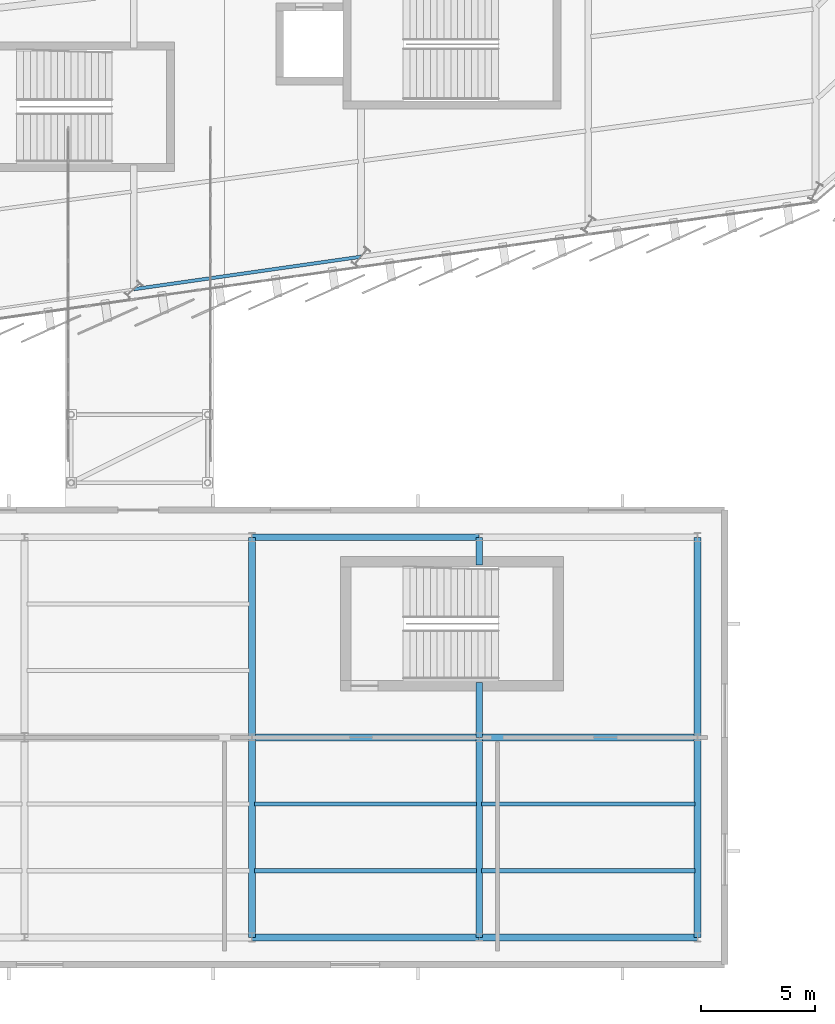
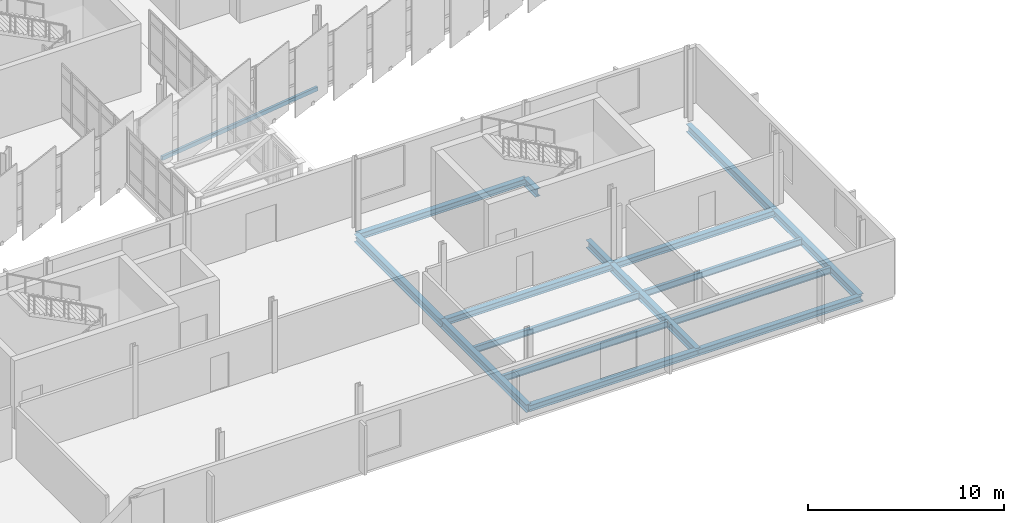
# One storey, part 62 of 125: 17 beams.
"""IFC4 building model written with IfcOpenShell, lengths in metres."""

from ifc_helpers import new_model, si_unit, direction, frame, origin, origin_2d, place, context, subcontext, project, spatial, hollow_rectangle, i_section, extrude, material, material_profile, profile_set, type_object, element, save


model = new_model("IFC4")

# Units and contexts
model_context = context("Model", 3, precision=1e-05, world=origin(), true_north=direction((0.0, 1.0)))
body_context = subcontext(model_context, "Body", "Model", "MODEL_VIEW")
ifc_project = project(units=[si_unit("LENGTHUNIT", "METRE"), si_unit("AREAUNIT", "SQUARE_METRE"), si_unit("VOLUMEUNIT", "CUBIC_METRE"), si_unit("PLANEANGLEUNIT", "RADIAN"), si_unit("MASSUNIT", "GRAM", prefix="KILO")], contexts=[model_context])

# Site, building, storey
site_placement = place(None, origin())
site = spatial("IfcSite", under=ifc_project, at=site_placement, CompositionType="ELEMENT")
building_placement = place(site_placement, origin())
building = spatial("IfcBuilding", under=site, at=building_placement, Name="Sohan Crest Arena", CompositionType="ELEMENT")
storey_placement = place(building_placement, frame((0.0, 0.0, 9.0)))
storey = spatial("IfcBuildingStorey", under=building, at=storey_placement, Name="L02", CompositionType="ELEMENT", Elevation=9.0)

# Beams
ifc_material = material(Name="Steel S355", Category="steel")
ifc_material_profile_1 = material_profile(ifc_material, i_section(OverallWidth=0.179931640625, OverallDepth=0.39990234375, WebThickness=0.008544921875, FlangeThickness=0.013427734375, at=origin_2d()), Name="IPE 400")
ifc_profile_set_1 = profile_set([ifc_material_profile_1], Name="Steel S355")
beam_type_1 = type_object("IfcBeamType", Name="STR-BM-B03", PredefinedType="JOIST", material=ifc_profile_set_1)
for number, where, z_axis, x_axis, name in (
    (1, (143.31005859375, 10.133056640625, -0.449951171875), (1.0, 0.0, 0.0), (0.0, 1.0, 0.0), "Structural beam J-L02-2674"),
    (2, (143.31005859375, 13.06689453125, -0.449951171875), (1.0, 0.0, 0.0), (0.0, 1.0, 0.0), "Structural beam J-L02-2675"),
):
    element("IfcBeam", number, at=place(storey_placement, frame(where, z_axis=z_axis, x_axis=x_axis)), inside=storey, type_object=beam_type_1, Name=name, PredefinedType="JOIST", context=body_context, shape_type="SweptSolid", body=[
        extrude(i_section(OverallWidth=0.179931640625, OverallDepth=0.39990234375, WebThickness=0.008544921875, FlangeThickness=0.013427734375, at=origin_2d()), origin(), (0.0, 0.0, 1.0), 9.780029296875),
    ])
for number, where, z_axis, x_axis, name in (
    (3, (153.31005859375, 10.133056640625, -0.449951171875), (1.0, 0.0, 0.0), (0.0, 1.0, 0.0), "Structural beam J-L02-2677"),
    (4, (153.31005859375, 13.06689453125, -0.449951171875), (1.0, 0.0, 0.0), (0.0, 1.0, 0.0), "Structural beam J-L02-2678"),
):
    element("IfcBeam", number, at=place(storey_placement, frame(where, z_axis=z_axis, x_axis=x_axis)), inside=storey, type_object=beam_type_1, Name=name, PredefinedType="JOIST", context=body_context, shape_type="SweptSolid", body=[
        extrude(i_section(OverallWidth=0.179931640625, OverallDepth=0.39990234375, WebThickness=0.008544921875, FlangeThickness=0.013427734375, at=origin_2d()), origin(), (0.0, 0.0, 1.0), 9.3798828125),
    ])
ifc_material_profile_2 = material_profile(ifc_material, i_section(OverallWidth=0.300048828125, OverallDepth=0.389892578125, WebThickness=0.010986328125, FlangeThickness=0.01904296875, at=origin_2d()), Name="HEA 400")
ifc_profile_set_2 = profile_set([ifc_material_profile_2], Name="Steel S355")
beam_type_2 = type_object("IfcBeamType", Name="STR-BM-B09", PredefinedType="BEAM", material=ifc_profile_set_2)
beam_1_placement = place(storey_placement, frame((143.199951171875, 7.199951171875, -0.445068359375), z_axis=(1.0, 0.0, 0.0), x_axis=(0.0, 1.0, 0.0)))
element("IfcBeam", 5, at=beam_1_placement, inside=storey, type_object=beam_type_2, Name="Structural beam G-L02-2673", PredefinedType="BEAM", context=body_context, shape_type="SweptSolid", body=[
    extrude(i_section(OverallWidth=0.300048828125, OverallDepth=0.389892578125, WebThickness=0.010986328125, FlangeThickness=0.01904296875, at=origin_2d()), origin(), (0.0, 0.0, 1.0), 10.0),
])
beam_2_placement = place(storey_placement, frame((153.199951171875, 7.199951171875, -0.445068359375), z_axis=(1.0, 0.0, 0.0), x_axis=(0.0, 1.0, 0.0)))
element("IfcBeam", 6, at=beam_2_placement, inside=storey, type_object=beam_type_2, Name="Structural beam G-L02-2676", PredefinedType="BEAM", context=body_context, shape_type="SweptSolid", body=[
    extrude(i_section(OverallWidth=0.300048828125, OverallDepth=0.389892578125, WebThickness=0.010986328125, FlangeThickness=0.01904296875, at=origin_2d()), origin(), (0.0, 0.0, 1.0), 9.60009765625),
])
beam_3_placement = place(storey_placement, frame((143.199951171875, 16.0, -0.445068359375), z_axis=(1.0, 0.0, 0.0), x_axis=(0.0, 1.0, 0.0)))
element("IfcBeam", 7, at=beam_3_placement, inside=storey, type_object=beam_type_2, Name="Structural beam G-L02-2688", PredefinedType="BEAM", context=body_context, shape_type="SweptSolid", body=[
    extrude(i_section(OverallWidth=0.300048828125, OverallDepth=0.389892578125, WebThickness=0.010986328125, FlangeThickness=0.01904296875, at=origin_2d()), origin(), (0.0, 0.0, 1.0), 10.0),
])
beam_4_placement = place(storey_placement, frame((153.199951171875, 16.0, -0.445068359375), z_axis=(1.0, 0.0, 0.0), x_axis=(0.0, 1.0, 0.0)))
element("IfcBeam", 8, at=beam_4_placement, inside=storey, type_object=beam_type_2, Name="Structural beam G-L02-2689", PredefinedType="BEAM", context=body_context, shape_type="SweptSolid", body=[
    extrude(i_section(OverallWidth=0.300048828125, OverallDepth=0.389892578125, WebThickness=0.010986328125, FlangeThickness=0.01904296875, at=origin_2d()), origin(), (0.0, 0.0, 1.0), 9.60009765625),
])
beam_5_placement = place(storey_placement, frame((143.199951171875, 24.800048828125, -0.445068359375), z_axis=(1.0, 0.0, 0.0), x_axis=(0.0, 1.0, 0.0)))
element("IfcBeam", 9, at=beam_5_placement, inside=storey, type_object=beam_type_2, Name="Structural beam G-L02-2697", PredefinedType="BEAM", context=body_context, shape_type="SweptSolid", body=[
    extrude(i_section(OverallWidth=0.300048828125, OverallDepth=0.389892578125, WebThickness=0.010986328125, FlangeThickness=0.01904296875, at=origin_2d()), origin(), (0.0, 0.0, 1.0), 10.0),
])
ifc_material_profile_3 = material_profile(ifc_material, i_section(OverallWidth=0.300048828125, OverallDepth=0.489990234375, WebThickness=0.011962890625, FlangeThickness=0.02294921875, at=origin_2d()), Name="HEA 500")
ifc_profile_set_3 = profile_set([ifc_material_profile_3], Name="Steel S355")
beam_type_3 = type_object("IfcBeamType", Name="STR-BM-B10", PredefinedType="BEAM", material=ifc_profile_set_3)
for number, where, z_axis, x_axis, name in (
    (10, (143.199951171875, 7.199951171875, -0.4951171875), (0.0, 1.0, 0.0), (-1.0, 0.0, 0.0), "Structural beam G-L02-2645"),
    (11, (143.199951171875, 16.0, -0.4951171875), (0.0, 1.0, 0.0), (-1.0, 0.0, 0.0), "Structural beam G-L02-2646"),
    (12, (153.199951171875, 7.199951171875, -0.4951171875), (0.0, 1.0, 0.0), (-1.0, 0.0, 0.0), "Structural beam G-L02-2647"),
):
    element("IfcBeam", number, at=place(storey_placement, frame(where, z_axis=z_axis, x_axis=x_axis)), inside=storey, type_object=beam_type_3, Name=name, PredefinedType="BEAM", context=body_context, shape_type="SweptSolid", body=[
        extrude(i_section(OverallWidth=0.300048828125, OverallDepth=0.489990234375, WebThickness=0.011962890625, FlangeThickness=0.02294921875, at=origin_2d()), origin(), (0.0, 0.0, 1.0), 8.800048828125),
    ])
beam_6_placement = place(storey_placement, frame((153.199951171875, 16.0, -0.4951171875), z_axis=(0.0, 1.0, 0.0), x_axis=(-1.0, 0.0, 0.0)))
element("IfcBeam", 13, at=beam_6_placement, inside=storey, type_object=beam_type_3, Name="Structural beam G-L02-2648", PredefinedType="BEAM", context=body_context, shape_type="SweptSolid", body=[
    extrude(i_section(OverallWidth=0.300048828125, OverallDepth=0.489990234375, WebThickness=0.011962890625, FlangeThickness=0.02294921875, at=origin_2d()), origin(), (0.0, 0.0, 1.0), 2.419921875),
])
beam_7_placement = place(storey_placement, frame((153.199951171875, 23.580078125, -0.4951171875), z_axis=(0.0, 1.0, 0.0), x_axis=(-1.0, 0.0, 0.0)))
element("IfcBeam", 14, at=beam_7_placement, inside=storey, type_object=beam_type_3, Name="Structural beam G-L02-2649", PredefinedType="BEAM", context=body_context, shape_type="SweptSolid", body=[
    extrude(i_section(OverallWidth=0.300048828125, OverallDepth=0.489990234375, WebThickness=0.011962890625, FlangeThickness=0.02294921875, at=origin_2d()), origin(), (0.0, 0.0, 1.0), 1.219970703125),
])
for number, where, z_axis, x_axis, name in (
    (15, (162.800048828125, 7.199951171875, -0.4951171875), (0.0, 1.0, 0.0), (-1.0, 0.0, 0.0), "Structural beam G-L02-2650"),
    (16, (162.800048828125, 16.0, -0.4951171875), (0.0, 1.0, 0.0), (-1.0, 0.0, 0.0), "Structural beam G-L02-2651"),
):
    element("IfcBeam", number, at=place(storey_placement, frame(where, z_axis=z_axis, x_axis=x_axis)), inside=storey, type_object=beam_type_3, Name=name, PredefinedType="BEAM", context=body_context, shape_type="SweptSolid", body=[
        extrude(i_section(OverallWidth=0.300048828125, OverallDepth=0.489990234375, WebThickness=0.011962890625, FlangeThickness=0.02294921875, at=origin_2d()), origin(), (0.0, 0.0, 1.0), 8.800048828125),
    ])
ifc_material_profile_4 = material_profile(ifc_material, hollow_rectangle(XDim=0.14990234375, YDim=0.25, WallThickness=0.010009765625, at=origin_2d()), Name="RHS 250x150x10")
ifc_profile_set_4 = profile_set([ifc_material_profile_4], Name="Steel S355")
beam_type_4 = type_object("IfcBeamType", Name="STR-BM-SP02", PredefinedType="SPANDREL", material=ifc_profile_set_4)
beam_8_placement = place(storey_placement, frame((138.0, 35.714111328125, -0.375), z_axis=(0.989944175879, 0.141458575718, 0.0), x_axis=(-0.141458575718, 0.989944175879, 0.0)))
element("IfcBeam", 17, at=beam_8_placement, inside=storey, type_object=beam_type_4, Name="Structural beam SP-L02-1314", PredefinedType="SPANDREL", context=body_context, shape_type="SweptSolid", body=[
    extrude(hollow_rectangle(XDim=0.14990234375, YDim=0.25, WallThickness=0.010009765625, at=origin_2d()), origin(), (0.0, 0.0, 1.0), 10.1015625),
])

save(model, "model.ifc")
